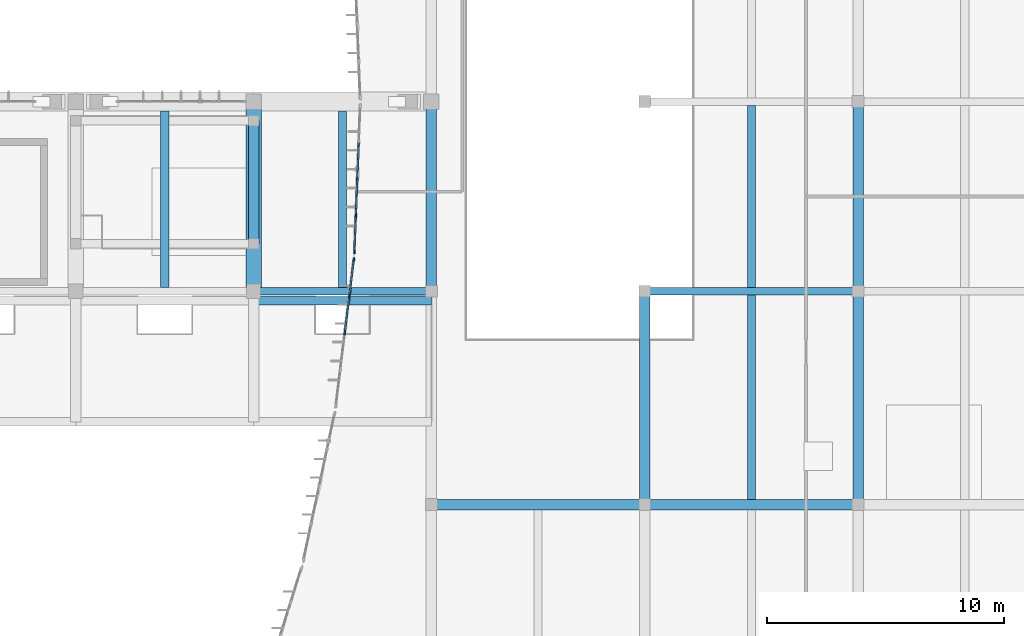
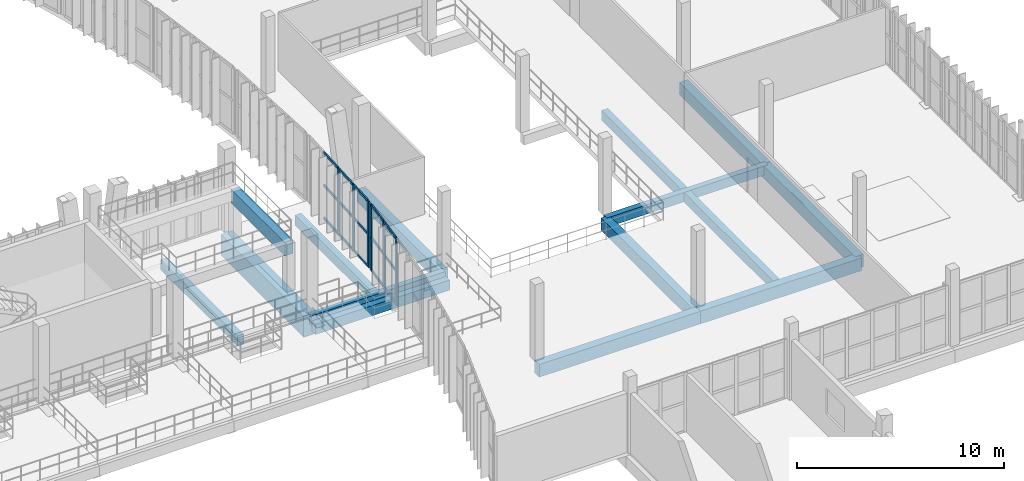
# One storey, part 30 of 81: 21 members, 15 beams, 2 elements without a shape of their own.
"""IFC4 building model written with IfcOpenShell, lengths in metres."""

from ifc_helpers import new_model, si_unit, direction, frame, origin, origin_2d, place, context, subcontext, project, spatial, rectangle, extrude, material, material_profile, profile_set, type_object, element, aggregate, save


model = new_model("IFC4")

# Units and contexts
model_context = context("Model", 3, precision=1e-05, world=origin(), true_north=direction((0.0, 1.0)))
body_context = subcontext(model_context, "Body", "Model", "MODEL_VIEW")
ifc_project = project(units=[si_unit("LENGTHUNIT", "METRE"), si_unit("AREAUNIT", "SQUARE_METRE"), si_unit("VOLUMEUNIT", "CUBIC_METRE"), si_unit("PLANEANGLEUNIT", "RADIAN"), si_unit("MASSUNIT", "GRAM", prefix="KILO")], contexts=[model_context])

# Site, building, storey
site_placement = place(None, origin())
site = spatial("IfcSite", under=ifc_project, at=site_placement, CompositionType="ELEMENT")
building_placement = place(site_placement, origin())
building = spatial("IfcBuilding", under=site, at=building_placement, Name="Vourika Railside Aquatics Centre", CompositionType="ELEMENT")
storey_placement = place(building_placement, frame((0.0, 0.0, 4.800048828125)))
storey = spatial("IfcBuildingStorey", under=building, at=storey_placement, Name="L01", CompositionType="ELEMENT", Elevation=4.800048828125)

# Beams
ifc_material_1 = material(Name="Concrete C35/45", Category="concrete")
ifc_material_profile_1 = material_profile(ifc_material_1, rectangle(XDim=0.449951171875, YDim=0.75, at=origin_2d()), Name="RC 450x750")
ifc_profile_set_1 = profile_set([ifc_material_profile_1], Name="Concrete C35/45")
beam_type_1 = type_object("IfcBeamType", Name="BM-GIRD-450x750", PredefinedType="BEAM", material=ifc_profile_set_1)
for number, where, z_axis, x_axis, name in (
    (1, (141.0, 49.0, -0.675048828125), (1.0, 0.0, 0.0), (0.0, 1.0, 0.0), "Floor Beam GX-L01-055"),
    (2, (150.0, 49.0, -0.675048828125), (1.0, 0.0, 0.0), (0.0, 1.0, 0.0), "Floor Beam GX-L01-056"),
):
    element("IfcBeam", number, at=place(storey_placement, frame(where, z_axis=z_axis, x_axis=x_axis)), inside=storey, type_object=beam_type_1, Name=name, PredefinedType="BEAM", context=body_context, shape_type="SweptSolid", body=[
        extrude(rectangle(XDim=0.449951171875, YDim=0.75, at=origin_2d()), origin(), (0.0, 0.0, 1.0), 9.0),
    ])
beam_1_placement = place(storey_placement, frame((141.0, 58.0, -0.675048828125), z_axis=(0.0, 1.0, 0.0), x_axis=(-1.0, 0.0, 0.0)))
element("IfcBeam", 3, at=beam_1_placement, inside=storey, type_object=beam_type_1, Name="Floor Girder GY-L01-274", PredefinedType="BEAM", context=body_context, shape_type="SweptSolid", body=[
    extrude(rectangle(XDim=0.449951171875, YDim=0.75, at=origin_2d()), origin(), (0.0, 0.0, 1.0), 8.0),
])
for number, where, z_axis, x_axis, name in (
    (4, (150.0, 49.0, -0.675048828125), (0.0, 1.0, 0.0), (-1.0, 0.0, 0.0), "Floor Girder GY-L01-284"),
    (5, (159.0, 49.0, -0.675048828125), (0.0, 1.0, 0.0), (-1.0, 0.0, 0.0), "Floor Girder GY-L01-288"),
):
    element("IfcBeam", number, at=place(storey_placement, frame(where, z_axis=z_axis, x_axis=x_axis)), inside=storey, type_object=beam_type_1, Name=name, PredefinedType="BEAM", context=body_context, shape_type="SweptSolid", body=[
        extrude(rectangle(XDim=0.449951171875, YDim=0.75, at=origin_2d()), origin(), (0.0, 0.0, 1.0), 9.0),
    ])
beam_2_placement = place(storey_placement, frame((159.0, 58.0, -0.675048828125), z_axis=(0.0, 1.0, 0.0), x_axis=(-1.0, 0.0, 0.0)))
element("IfcBeam", 6, at=beam_2_placement, inside=storey, type_object=beam_type_1, Name="Floor Girder GY-L01-289", PredefinedType="BEAM", context=body_context, shape_type="SweptSolid", body=[
    extrude(rectangle(XDim=0.449951171875, YDim=0.75, at=origin_2d()), origin(), (0.0, 0.0, 1.0), 8.0),
])
ifc_material_profile_2 = material_profile(ifc_material_1, rectangle(XDim=0.449951171875, YDim=0.800048828125, at=origin_2d()), Name="RC 450x800")
ifc_profile_set_2 = profile_set([ifc_material_profile_2], Name="Concrete C35/45")
beam_type_2 = type_object("IfcBeamType", Name="BM-RAKER-450x800", PredefinedType="BEAM", material=ifc_profile_set_2)
beam_3_placement = place(storey_placement, frame((133.5, 60.0, 2.39990234375), z_axis=(0.0, 1.0, 0.0), x_axis=(-1.0, 0.0, 0.0)))
element("IfcBeam", 7, at=beam_3_placement, inside=storey, type_object=beam_type_2, Name="Grandstand Upper Raker Beam RKH-133.5", PredefinedType="BEAM", context=body_context, shape_type="SweptSolid", body=[
    extrude(rectangle(XDim=0.449951171875, YDim=0.800048828125, at=origin_2d()), origin(), (0.0, 0.0, 1.0), 5.199951171875),
])
ifc_material_profile_3 = material_profile(ifc_material_1, rectangle(XDim=0.35009765625, YDim=0.60009765625, at=origin_2d()), Name="RC 350x600")
ifc_profile_set_3 = profile_set([ifc_material_profile_3], Name="Concrete C35/45")
beam_type_3 = type_object("IfcBeamType", Name="BM-SEC-350x600", PredefinedType="JOIST", material=ifc_profile_set_3)
beam_4_placement = place(storey_placement, frame((154.5, 49.22509765625, -0.60009765625), z_axis=(0.0, 1.0, 0.0), x_axis=(-1.0, 0.0, 0.0)))
element("IfcBeam", 8, at=beam_4_placement, inside=storey, type_object=beam_type_3, Name="Secondary Joist JY-L01-329", PredefinedType="JOIST", context=body_context, shape_type="SweptSolid", body=[
    extrude(rectangle(XDim=0.35009765625, YDim=0.60009765625, at=origin_2d()), origin(), (0.0, 0.0, 1.0), 8.614990234375),
])
for number, where, z_axis, x_axis, name in (
    (9, (129.75, 58.159912109375, -0.60009765625), (0.0, 1.0, 0.0), (-1.0, 0.0, 0.0), "Secondary Joist JY-L01-335"),
    (10, (137.25, 58.159912109375, -0.60009765625), (0.0, 1.0, 0.0), (-1.0, 0.0, 0.0), "Secondary Joist JY-L01-336"),
):
    element("IfcBeam", number, at=place(storey_placement, frame(where, z_axis=z_axis, x_axis=x_axis)), inside=storey, type_object=beam_type_3, Name=name, PredefinedType="JOIST", context=body_context, shape_type="SweptSolid", body=[
        extrude(rectangle(XDim=0.35009765625, YDim=0.60009765625, at=origin_2d()), origin(), (0.0, 0.0, 1.0), 7.440185546875),
    ])
beam_5_placement = place(storey_placement, frame((154.5, 58.159912109375, -0.60009765625), z_axis=(0.0, 1.0, 0.0), x_axis=(-1.0, 0.0, 0.0)))
element("IfcBeam", 11, at=beam_5_placement, inside=storey, type_object=beam_type_3, Name="Secondary Joist JY-L01-337", PredefinedType="JOIST", context=body_context, shape_type="SweptSolid", body=[
    extrude(rectangle(XDim=0.35009765625, YDim=0.60009765625, at=origin_2d()), origin(), (0.0, 0.0, 1.0), 7.68017578125),
])
beam_6_placement = place(storey_placement, frame((133.5, 57.60009765625, -0.85009765625), z_axis=(1.0, 0.0, 0.0), x_axis=(0.0, 1.0, 0.0)))
element("IfcBeam", 12, at=beam_6_placement, inside=storey, type_object=beam_type_3, Name="Lower Stand Rear Beam 133.5-141.0", PredefinedType="JOIST", context=body_context, shape_type="SweptSolid", body=[
    extrude(rectangle(XDim=0.35009765625, YDim=0.60009765625, at=origin_2d()), origin(), (0.0, 0.0, 1.0), 7.5),
])
ifc_material_profile_4 = material_profile(ifc_material_1, rectangle(XDim=0.320068359375, YDim=0.550048828125, at=origin_2d()), Name="RC 320x550")
ifc_profile_set_4 = profile_set([ifc_material_profile_4], Name="Concrete C35/45")
beam_type_4 = type_object("IfcBeamType", Name="BM-SPAN-320x550", PredefinedType="SPANDREL", material=ifc_profile_set_4)
beam_7_placement = place(storey_placement, frame((133.5, 58.0, -0.574951171875), z_axis=(1.0, 0.0, 0.0), x_axis=(0.0, 1.0, 0.0)))
element("IfcBeam", 13, at=beam_7_placement, inside=storey, type_object=beam_type_4, Name="Floor Beam GX-L01-075", PredefinedType="SPANDREL", context=body_context, shape_type="SweptSolid", body=[
    extrude(rectangle(XDim=0.320068359375, YDim=0.550048828125, at=origin_2d()), origin(), (0.0, 0.0, 1.0), 7.5),
])
beam_8_placement = place(storey_placement, frame((150.0, 58.0, -0.574951171875), z_axis=(1.0, 0.0, 0.0), x_axis=(0.0, 1.0, 0.0)))
element("IfcBeam", 14, at=beam_8_placement, inside=storey, type_object=beam_type_4, Name="Floor Beam GX-L01-076", PredefinedType="SPANDREL", context=body_context, shape_type="SweptSolid", body=[
    extrude(rectangle(XDim=0.320068359375, YDim=0.550048828125, at=origin_2d()), origin(), (0.0, 0.0, 1.0), 9.0),
])
ifc_material_2 = material(Name="Concrete C40/50", Category="concrete")
ifc_material_profile_5 = material_profile(ifc_material_2, rectangle(XDim=0.64990234375, YDim=1.25, at=origin_2d()), Name="RC 650x1250")
ifc_profile_set_5 = profile_set([ifc_material_profile_5], Name="Concrete C40/50")
beam_type_5 = type_object("IfcBeamType", Name="BM-XFER-650x1250", PredefinedType="BEAM", material=ifc_profile_set_5)
beam_9_placement = place(storey_placement, frame((133.5, 58.0, -0.925048828125), z_axis=(0.0, 1.0, 0.0), x_axis=(-1.0, 0.0, 0.0)))
element("IfcBeam", 15, at=beam_9_placement, inside=storey, type_object=beam_type_5, Name="Floor Girder GY-L01-264", PredefinedType="BEAM", context=body_context, shape_type="SweptSolid", body=[
    extrude(rectangle(XDim=0.64990234375, YDim=1.25, at=origin_2d()), origin(), (0.0, 0.0, 1.0), 8.0),
])

# Curtain wall, members
ifc_material_3 = material(Name="Anodized thermally broken aluminium", Category="aluminium")
curtain_wall_type = type_object("IfcCurtainWallType", Name="CW-FOYC1", PredefinedType="NOTDEFINED", material=ifc_material_3)
curtain_wall_1_placement = place(storey_placement, origin())
curtain_wall_1 = element("IfcCurtainWall", 16, at=curtain_wall_1_placement, inside=storey, type_object=curtain_wall_type, Name="Curved Courtyard Foyer Curtain Wall L01-3", PredefinedType="NOTDEFINED")
ifc_material_4 = material(Name="Anodized aluminium mullion", Category="aluminium")
ifc_material_profile_6 = material_profile(ifc_material_4, rectangle(XDim=0.070068359375, YDim=0.18505859375, at=origin_2d()), Name="ALU-M 70x185")
ifc_profile_set_6 = profile_set([ifc_material_profile_6], Name="Anodized aluminium mullion")
member_type_1 = type_object("IfcMemberType", Name="CWM-FOYC1", PredefinedType="MULLION", material=ifc_profile_set_6)
member_1_placement = place(storey_placement, frame((137.724853515625, 59.3251953125, 0.0), z_axis=(0.0, 0.0, 1.0), x_axis=(0.992598563525, -0.121441721361, 0.0)))
member_1 = element("IfcMember", 17, at=member_1_placement, type_object=member_type_1, Name="CW08 mullion 1", PredefinedType="MULLION", context=body_context, shape_type="SweptSolid", body=[
    extrude(rectangle(XDim=0.070068359375, YDim=0.18505859375, at=origin_2d()), origin(), (0.0, 0.0, 1.0), 3.919921875),
])
member_2_placement = place(storey_placement, frame((137.538818359375, 57.804931640625, 0.0), z_axis=(0.0, 0.0, 1.0), x_axis=(0.992598563525, -0.121441721361, 0.0)))
member_2 = element("IfcMember", 18, at=member_2_placement, type_object=member_type_1, Name="CW08 mullion 2", PredefinedType="MULLION", context=body_context, shape_type="SweptSolid", body=[
    extrude(rectangle(XDim=0.070068359375, YDim=0.18505859375, at=origin_2d()), origin(), (0.0, 0.0, 1.0), 3.919921875),
])
member_3_placement = place(storey_placement, frame((137.348388671875, 56.25, 0.0), z_axis=(0.0, 0.0, 1.0), x_axis=(0.992598563525, -0.121441721361, 0.0)))
member_3 = element("IfcMember", 19, at=member_3_placement, type_object=member_type_1, Name="CW08 mullion 3", PredefinedType="MULLION", context=body_context, shape_type="SweptSolid", body=[
    extrude(rectangle(XDim=0.070068359375, YDim=0.18505859375, at=origin_2d()), origin(), (0.0, 0.0, 1.0), 3.919921875),
])

curtain_wall_2_placement = place(storey_placement, origin())
curtain_wall_2 = element("IfcCurtainWall", 20, at=curtain_wall_2_placement, inside=storey, type_object=curtain_wall_type, Name="Curved Courtyard Foyer Curtain Wall L01-4", PredefinedType="NOTDEFINED")
member_4_placement = place(storey_placement, frame((137.87548828125, 62.75, 0.0), z_axis=(0.0, 0.0, 1.0), x_axis=(0.999199675116, -0.040000115606, 0.0)))
member_4 = element("IfcMember", 21, at=member_4_placement, type_object=member_type_1, Name="CW08 mullion 3", PredefinedType="MULLION", context=body_context, shape_type="SweptSolid", body=[
    extrude(rectangle(XDim=0.070068359375, YDim=0.18505859375, at=origin_2d()), origin(), (0.0, 0.0, 1.0), 3.919921875),
])
member_5_placement = place(storey_placement, frame((137.813232421875, 61.195068359375, 0.0), z_axis=(0.0, 0.0, 1.0), x_axis=(0.999199675116, -0.040000115606, 0.0)))
member_5 = element("IfcMember", 22, at=member_5_placement, type_object=member_type_1, Name="CW08 mullion 4", PredefinedType="MULLION", context=body_context, shape_type="SweptSolid", body=[
    extrude(rectangle(XDim=0.070068359375, YDim=0.18505859375, at=origin_2d()), origin(), (0.0, 0.0, 1.0), 3.919921875),
])
member_6_placement = place(storey_placement, frame((137.75244140625, 59.675048828125, 0.0), z_axis=(0.0, 0.0, 1.0), x_axis=(0.999199675116, -0.040000115606, 0.0)))
member_6 = element("IfcMember", 23, at=member_6_placement, type_object=member_type_1, Name="CW08 mullion 5", PredefinedType="MULLION", context=body_context, shape_type="SweptSolid", body=[
    extrude(rectangle(XDim=0.070068359375, YDim=0.18505859375, at=origin_2d()), origin(), (0.0, 0.0, 1.0), 3.919921875),
])

# Member
ifc_material_5 = material(Name="Anodized aluminium transom", Category="aluminium")
ifc_material_profile_7 = material_profile(ifc_material_5, rectangle(XDim=0.070068359375, YDim=0.14599609375, at=origin_2d()), Name="ALU-T 70x146")
ifc_profile_set_7 = profile_set([ifc_material_profile_7], Name="Anodized aluminium transom")
member_type_2 = type_object("IfcMemberType", Name="CWT-FOYC1", PredefinedType="USERDEFINED", material=ifc_profile_set_7)
member_7_placement = place(storey_placement, frame((137.720458984375, 59.29052734375, 0.034912109375), z_axis=(-0.121443785275, -0.992598311009, 0.0), x_axis=(0.992598311009, -0.121443785275, 0.0)))
member_7 = element("IfcMember", 24, at=member_7_placement, type_object=member_type_2, Name="CW08 transom 1.1", ObjectType="TRANSOM", PredefinedType="USERDEFINED", context=body_context, shape_type="SweptSolid", body=[
    extrude(rectangle(XDim=0.070068359375, YDim=0.14599609375, at=origin_2d()), origin(), (0.0, 0.0, 1.0), 1.46142578125),
])

member_8_placement = place(storey_placement, frame((137.720458984375, 59.29052734375, 1.9599609375), z_axis=(-0.121443785275, -0.992598311009, 0.0), x_axis=(0.992598311009, -0.121443785275, 0.0)))
member_8 = element("IfcMember", 25, at=member_8_placement, type_object=member_type_2, Name="CW08 transom 1.2", ObjectType="TRANSOM", PredefinedType="USERDEFINED", context=body_context, shape_type="SweptSolid", body=[
    extrude(rectangle(XDim=0.070068359375, YDim=0.14599609375, at=origin_2d()), origin(), (0.0, 0.0, 1.0), 1.46142578125),
])

member_9_placement = place(storey_placement, frame((137.720458984375, 59.29052734375, 3.885009765625), z_axis=(-0.121443785275, -0.992598311009, 0.0), x_axis=(0.992598311009, -0.121443785275, 0.0)))
member_9 = element("IfcMember", 26, at=member_9_placement, type_object=member_type_2, Name="CW08 transom 1.3", ObjectType="TRANSOM", PredefinedType="USERDEFINED", context=body_context, shape_type="SweptSolid", body=[
    extrude(rectangle(XDim=0.070068359375, YDim=0.14599609375, at=origin_2d()), origin(), (0.0, 0.0, 1.0), 1.46142578125),
])

member_10_placement = place(storey_placement, frame((137.534423828125, 57.770263671875, 0.034912109375), z_axis=(-0.121364075075, -0.992608060254, 0.0), x_axis=(0.992608060254, -0.121364075075, 0.0)))
member_10 = element("IfcMember", 27, at=member_10_placement, type_object=member_type_2, Name="CW08 transom 2.1", ObjectType="TRANSOM", PredefinedType="USERDEFINED", context=body_context, shape_type="SweptSolid", body=[
    extrude(rectangle(XDim=0.070068359375, YDim=0.14599609375, at=origin_2d()), origin(), (0.0, 0.0, 1.0), 1.49658203125),
])

member_11_placement = place(storey_placement, frame((137.534423828125, 57.770263671875, 1.9599609375), z_axis=(-0.121364075075, -0.992608060254, 0.0), x_axis=(0.992608060254, -0.121364075075, 0.0)))
member_11 = element("IfcMember", 28, at=member_11_placement, type_object=member_type_2, Name="CW08 transom 2.2", ObjectType="TRANSOM", PredefinedType="USERDEFINED", context=body_context, shape_type="SweptSolid", body=[
    extrude(rectangle(XDim=0.070068359375, YDim=0.14599609375, at=origin_2d()), origin(), (0.0, 0.0, 1.0), 1.49658203125),
])

member_12_placement = place(storey_placement, frame((137.534423828125, 57.770263671875, 3.885009765625), z_axis=(-0.121364075075, -0.992608060254, 0.0), x_axis=(0.992608060254, -0.121364075075, 0.0)))
member_12 = element("IfcMember", 29, at=member_12_placement, type_object=member_type_2, Name="CW08 transom 2.3", ObjectType="TRANSOM", PredefinedType="USERDEFINED", context=body_context, shape_type="SweptSolid", body=[
    extrude(rectangle(XDim=0.070068359375, YDim=0.14599609375, at=origin_2d()), origin(), (0.0, 0.0, 1.0), 1.49658203125),
])

aggregate(curtain_wall_1, [member_1, member_2, member_3, member_7, member_8, member_9, member_10, member_11, member_12])

member_13_placement = place(storey_placement, frame((137.936279296875, 64.27001953125, 0.034912109375), z_axis=(-0.039915558563, -0.999203056533, 0.0), x_axis=(0.999203056533, -0.039915558563, 0.0)))
member_13 = element("IfcMember", 30, at=member_13_placement, type_object=member_type_2, Name="CW08 transom 2.1", ObjectType="TRANSOM", PredefinedType="USERDEFINED", context=body_context, shape_type="SweptSolid", body=[
    extrude(rectangle(XDim=0.070068359375, YDim=0.14599609375, at=origin_2d()), origin(), (0.0, 0.0, 1.0), 1.486328125),
])

member_14_placement = place(storey_placement, frame((137.936279296875, 64.27001953125, 1.9599609375), z_axis=(-0.039915558563, -0.999203056533, 0.0), x_axis=(0.999203056533, -0.039915558563, 0.0)))
member_14 = element("IfcMember", 31, at=member_14_placement, type_object=member_type_2, Name="CW08 transom 2.2", ObjectType="TRANSOM", PredefinedType="USERDEFINED", context=body_context, shape_type="SweptSolid", body=[
    extrude(rectangle(XDim=0.070068359375, YDim=0.14599609375, at=origin_2d()), origin(), (0.0, 0.0, 1.0), 1.486328125),
])

member_15_placement = place(storey_placement, frame((137.936279296875, 64.27001953125, 3.885009765625), z_axis=(-0.039915558563, -0.999203056533, 0.0), x_axis=(0.999203056533, -0.039915558563, 0.0)))
member_15 = element("IfcMember", 32, at=member_15_placement, type_object=member_type_2, Name="CW08 transom 2.3", ObjectType="TRANSOM", PredefinedType="USERDEFINED", context=body_context, shape_type="SweptSolid", body=[
    extrude(rectangle(XDim=0.070068359375, YDim=0.14599609375, at=origin_2d()), origin(), (0.0, 0.0, 1.0), 1.486328125),
])

member_16_placement = place(storey_placement, frame((137.8740234375, 62.715087890625, 0.034912109375), z_axis=(-0.039915558563, -0.999203056533, 0.0), x_axis=(0.999203056533, -0.039915558563, 0.0)))
member_16 = element("IfcMember", 33, at=member_16_placement, type_object=member_type_2, Name="CW08 transom 3.1", ObjectType="TRANSOM", PredefinedType="USERDEFINED", context=body_context, shape_type="SweptSolid", body=[
    extrude(rectangle(XDim=0.070068359375, YDim=0.14599609375, at=origin_2d()), origin(), (0.0, 0.0, 1.0), 1.486328125),
])

member_17_placement = place(storey_placement, frame((137.8740234375, 62.715087890625, 1.9599609375), z_axis=(-0.039915558563, -0.999203056533, 0.0), x_axis=(0.999203056533, -0.039915558563, 0.0)))
member_17 = element("IfcMember", 34, at=member_17_placement, type_object=member_type_2, Name="CW08 transom 3.2", ObjectType="TRANSOM", PredefinedType="USERDEFINED", context=body_context, shape_type="SweptSolid", body=[
    extrude(rectangle(XDim=0.070068359375, YDim=0.14599609375, at=origin_2d()), origin(), (0.0, 0.0, 1.0), 1.486328125),
])

member_18_placement = place(storey_placement, frame((137.8740234375, 62.715087890625, 3.885009765625), z_axis=(-0.039915558563, -0.999203056533, 0.0), x_axis=(0.999203056533, -0.039915558563, 0.0)))
member_18 = element("IfcMember", 35, at=member_18_placement, type_object=member_type_2, Name="CW08 transom 3.3", ObjectType="TRANSOM", PredefinedType="USERDEFINED", context=body_context, shape_type="SweptSolid", body=[
    extrude(rectangle(XDim=0.070068359375, YDim=0.14599609375, at=origin_2d()), origin(), (0.0, 0.0, 1.0), 1.486328125),
])

member_19_placement = place(storey_placement, frame((137.811767578125, 61.159912109375, 0.034912109375), z_axis=(-0.039873971699, -0.999204716953, 0.0), x_axis=(0.999204716953, -0.039873971699, 0.0)))
member_19 = element("IfcMember", 36, at=member_19_placement, type_object=member_type_2, Name="CW08 transom 4.1", ObjectType="TRANSOM", PredefinedType="USERDEFINED", context=body_context, shape_type="SweptSolid", body=[
    extrude(rectangle(XDim=0.070068359375, YDim=0.14599609375, at=origin_2d()), origin(), (0.0, 0.0, 1.0), 1.451171875),
])

member_20_placement = place(storey_placement, frame((137.811767578125, 61.159912109375, 1.9599609375), z_axis=(-0.039873971699, -0.999204716953, 0.0), x_axis=(0.999204716953, -0.039873971699, 0.0)))
member_20 = element("IfcMember", 37, at=member_20_placement, type_object=member_type_2, Name="CW08 transom 4.2", ObjectType="TRANSOM", PredefinedType="USERDEFINED", context=body_context, shape_type="SweptSolid", body=[
    extrude(rectangle(XDim=0.070068359375, YDim=0.14599609375, at=origin_2d()), origin(), (0.0, 0.0, 1.0), 1.451171875),
])

member_21_placement = place(storey_placement, frame((137.811767578125, 61.159912109375, 3.885009765625), z_axis=(-0.039873971699, -0.999204716953, 0.0), x_axis=(0.999204716953, -0.039873971699, 0.0)))
member_21 = element("IfcMember", 38, at=member_21_placement, type_object=member_type_2, Name="CW08 transom 4.3", ObjectType="TRANSOM", PredefinedType="USERDEFINED", context=body_context, shape_type="SweptSolid", body=[
    extrude(rectangle(XDim=0.070068359375, YDim=0.14599609375, at=origin_2d()), origin(), (0.0, 0.0, 1.0), 1.451171875),
])

aggregate(curtain_wall_2, [member_4, member_5, member_6, member_13, member_14, member_15, member_16, member_17, member_18, member_19, member_20, member_21])

save(model, "model.ifc")
